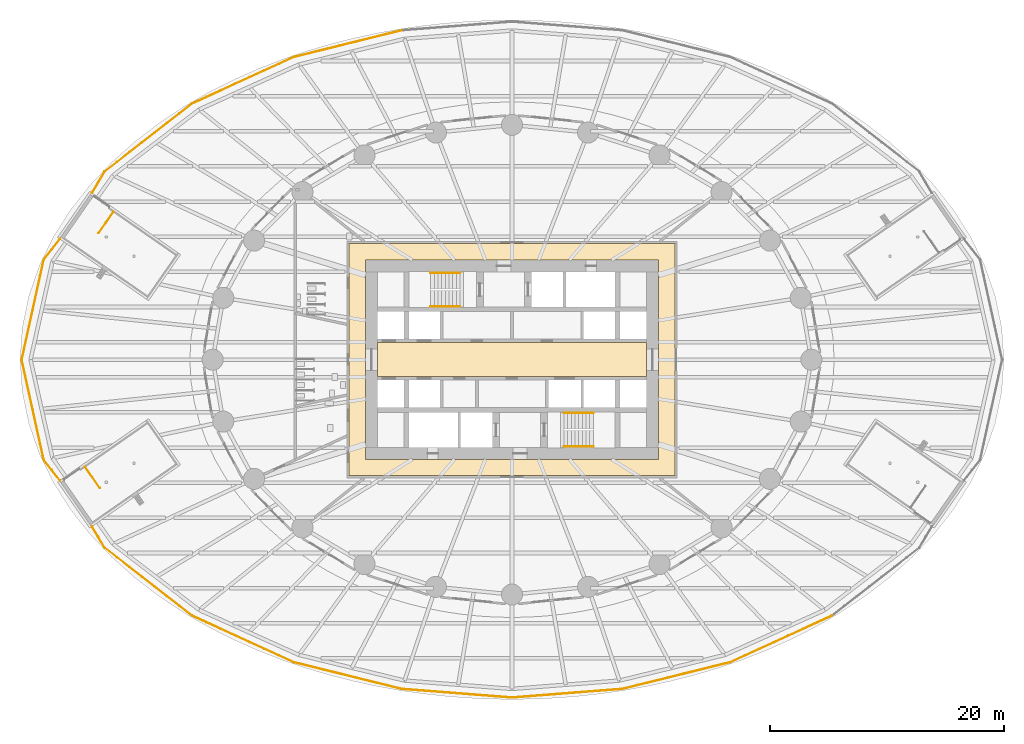
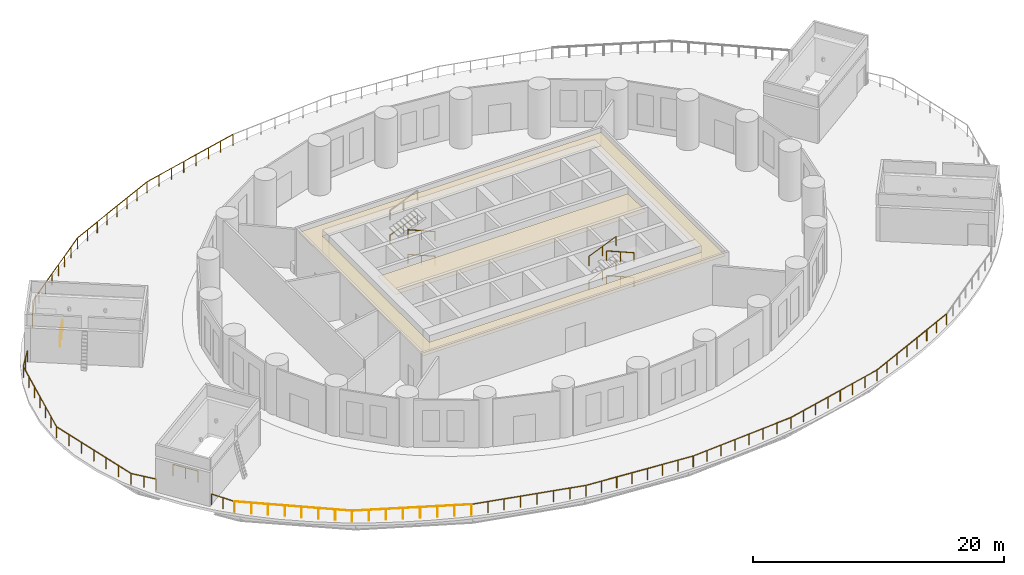
# One storey, part 14 of 17: 25 railings, 2 coverings.
"""IFC4 building model written with IfcOpenShell, lengths in metres."""

from ifc_helpers import new_model, si_unit, direction, frame, origin, origin_2d, place, context, subcontext, project, spatial, polyline, circle, outline, extrude, material, layer, layer_set, type_object, element, save


model = new_model("IFC4")

# Units and contexts
model_context = context("Model", 3, precision=1e-05, world=origin(), true_north=direction((0.0, 1.0)))
body_context = subcontext(model_context, "Body", "Model", "MODEL_VIEW")
ifc_project = project(units=[si_unit("LENGTHUNIT", "METRE"), si_unit("AREAUNIT", "SQUARE_METRE"), si_unit("VOLUMEUNIT", "CUBIC_METRE"), si_unit("PLANEANGLEUNIT", "RADIAN"), si_unit("MASSUNIT", "GRAM", prefix="KILO")], contexts=[model_context])

# Site, building, storey
site_placement = place(None, origin())
site = spatial("IfcSite", under=ifc_project, at=site_placement, CompositionType="ELEMENT")
building_placement = place(site_placement, origin())
building = spatial("IfcBuilding", under=site, at=building_placement, Name="Hankou Lantern Tower", CompositionType="ELEMENT")
storey_placement = place(building_placement, frame((0.0, 0.0, 24.60009765625)))
storey = spatial("IfcBuildingStorey", under=building, at=storey_placement, Name="L04", CompositionType="ELEMENT", Elevation=24.60009765625)

# Coverings
ifc_material_1 = material(Name="Black painted aluminium linear ceiling panels", Category="aluminium")
ifc_layer_1 = layer(ifc_material_1, 0.02490234375)
ifc_layer_set_1 = layer_set([ifc_layer_1], Name="Black painted aluminium linear ceiling panels")
covering_type_1 = type_object("IfcCoveringType", Name="CL1 CORRIDOR CEILING 25", PredefinedType="CEILING", material=ifc_layer_set_1)
covering_1_placement = place(storey_placement, frame((0.0, 0.0, 4.14501953125)))
element("IfcCovering", 1, at=covering_1_placement, inside=storey, type_object=covering_type_1, Name="Corridor ceiling L04", PredefinedType="CEILING", context=body_context, shape_type="SweptSolid", body=[
    extrude(outline(polyline([(-13.89990234375, -9.89990234375), (13.89990234375, -9.89990234375), (13.89990234375, 9.89990234375), (-13.89990234375, 9.89990234375), (-13.89990234375, -9.89990234375)]), holes=[polyline([(-12.5, 8.5), (12.5, 8.5), (12.5, -8.5), (-12.5, -8.5), (-12.5, 8.5)])]), origin(), (0.0, 0.0, 1.0), 0.02490234375),
])
ifc_material_2 = material(Name="Perforated black aluminium acoustic tray ceiling", Category="aluminium")
ifc_layer_2 = layer(ifc_material_2, 0.014892578125)
ifc_layer_set_2 = layer_set([ifc_layer_2], Name="Perforated black aluminium acoustic tray ceiling")
covering_type_2 = type_object("IfcCoveringType", Name="CL2 LIFT LOBBY CEILING 15", PredefinedType="CEILING", material=ifc_layer_set_2)
covering_2_placement = place(storey_placement, frame((0.0, 0.0, 4.15478515625)))
element("IfcCovering", 2, at=covering_2_placement, inside=storey, type_object=covering_type_2, Name="Lift lobby ceiling L04", PredefinedType="CEILING", context=body_context, shape_type="SweptSolid", body=[
    extrude(outline(polyline([(-11.5, -1.449951171875), (11.5, -1.449951171875), (11.5, 1.449951171875), (-11.5, 1.449951171875), (-11.5, -1.449951171875)])), origin(), (0.0, 0.0, 1.0), 0.01513671875),
])

# Railings
ifc_material_3 = material(Name="Stainless steel and laminated glass guard", Category="steel")
railing_type_1 = type_object("IfcRailingType", Name="GR1 GUARD 1100", PredefinedType="GUARDRAIL", material=ifc_material_3)
railing_1_placement = place(storey_placement, frame((-34.03369140625, 12.605712890625, 0.0)))
element("IfcRailing", 3, at=railing_1_placement, inside=storey, type_object=railing_type_1, Name="Stair P2 well guard L04", PredefinedType="GUARDRAIL", context=body_context, shape_type="SweptSolid", body=[
    extrude(circle(Radius=0.02392578125, at=origin_2d()), frame((0.0, 0.0, 1.076171875), z_axis=(-0.571031975366, -0.820927818453, 0.0), x_axis=(0.820927818453, -0.571031975366, 0.0)), (0.0, 0.0, 1.0), 2.2001953125),
    extrude(circle(Radius=0.02099609375, at=origin_2d()), origin(), (0.0, 0.0, 1.0), 1.052001953125),
    extrude(circle(Radius=0.02099609375, at=origin_2d()), frame((-0.628173828125, -0.903076171875, 0.0)), (0.0, 0.0, 1.0), 1.052001953125),
    extrude(circle(Radius=0.02099609375, at=origin_2d()), frame((-1.25634765625, -1.80615234375, 0.0)), (0.0, 0.0, 1.0), 1.052001953125),
])
railing_2_placement = place(storey_placement, frame((-36.43212890625, -9.15771484375, 0.0)))
element("IfcRailing", 4, at=railing_2_placement, inside=storey, type_object=railing_type_1, Name="Stair P3 well guard L04", PredefinedType="GUARDRAIL", context=body_context, shape_type="SweptSolid", body=[
    extrude(circle(Radius=0.02392578125, at=origin_2d()), frame((0.0, 0.0, 1.076171875), z_axis=(0.571031975366, -0.820927818453, 0.0), x_axis=(0.820927818453, 0.571031975366, 0.0)), (0.0, 0.0, 1.0), 2.2001953125),
    extrude(circle(Radius=0.02099609375, at=origin_2d()), origin(), (0.0, 0.0, 1.0), 1.052001953125),
    extrude(circle(Radius=0.02099609375, at=origin_2d()), frame((0.628173828125, -0.903076171875, 0.0)), (0.0, 0.0, 1.0), 1.052001953125),
    extrude(circle(Radius=0.02099609375, at=origin_2d()), frame((1.25634765625, -1.80615234375, 0.0)), (0.0, 0.0, 1.0), 1.052001953125),
])
ifc_material_4 = material(Name="Granite balusters and coping on a stainless steel core", Category="masonry")
railing_type_2 = type_object("IfcRailingType", Name="GR2 PODIUM TERRACE STONE BALUSTRADE 1100", PredefinedType="BALUSTRADE", material=ifc_material_4)
railing_3_placement = place(storey_placement, frame((-9.415283203125, 28.1103515625, 0.0)))
element("IfcRailing", 5, at=railing_3_placement, inside=storey, type_object=railing_type_2, Name="Podium terrace guard R08", PredefinedType="BALUSTRADE", context=body_context, shape_type="SweptSolid", body=[
    extrude(circle(Radius=0.02392578125, at=origin_2d()), frame((0.0, 0.0, 1.076171875), z_axis=(-0.97078133687, -0.239965822533, 0.0), x_axis=(0.239965822533, -0.97078133687, 0.0)), (0.0, 0.0, 1.0), 9.50341796875),
    extrude(circle(Radius=0.02099609375, at=origin_2d()), origin(), (0.0, 0.0, 1.0), 1.052001953125),
    extrude(circle(Radius=0.02099609375, at=origin_2d()), frame((-1.31787109375, -0.32568359375, 0.0)), (0.0, 0.0, 1.0), 1.052001953125),
    extrude(circle(Radius=0.02099609375, at=origin_2d()), frame((-2.635986328125, -0.651611328125, 0.0)), (0.0, 0.0, 1.0), 1.052001953125),
    extrude(circle(Radius=0.02099609375, at=origin_2d()), frame((-3.953857421875, -0.977294921875, 0.0)), (0.0, 0.0, 1.0), 1.052001953125),
    extrude(circle(Radius=0.02099609375, at=origin_2d()), frame((-5.27197265625, -1.30322265625, 0.0)), (0.0, 0.0, 1.0), 1.052001953125),
    extrude(circle(Radius=0.02099609375, at=origin_2d()), frame((-6.58984375, -1.62890625, 0.0)), (0.0, 0.0, 1.0), 1.052001953125),
    extrude(circle(Radius=0.02099609375, at=origin_2d()), frame((-7.907958984375, -1.954833984375, 0.0)), (0.0, 0.0, 1.0), 1.052001953125),
    extrude(circle(Radius=0.02099609375, at=origin_2d()), frame((-9.225830078125, -2.280517578125, 0.0)), (0.0, 0.0, 1.0), 1.052001953125),
])
railing_4_placement = place(storey_placement, frame((-18.64111328125, 25.829833984375, 0.0)))
element("IfcRailing", 6, at=railing_4_placement, inside=storey, type_object=railing_type_2, Name="Podium terrace guard R09", PredefinedType="BALUSTRADE", context=body_context, shape_type="SweptSolid", body=[
    extrude(circle(Radius=0.02392578125, at=origin_2d()), frame((0.0, 0.0, 1.076171875), z_axis=(-0.909171365198, -0.416422176047, 0.0), x_axis=(0.416422176047, -0.909171365198, 0.0)), (0.0, 0.0, 1.0), 9.544677734375),
    extrude(circle(Radius=0.02099609375, at=origin_2d()), origin(), (0.0, 0.0, 1.0), 1.052001953125),
    extrude(circle(Radius=0.02099609375, at=origin_2d()), frame((-1.23974609375, -0.56787109375, 0.0)), (0.0, 0.0, 1.0), 1.052001953125),
    extrude(circle(Radius=0.02099609375, at=origin_2d()), frame((-2.479248046875, -1.135498046875, 0.0)), (0.0, 0.0, 1.0), 1.052001953125),
    extrude(circle(Radius=0.02099609375, at=origin_2d()), frame((-3.718994140625, -1.703369140625, 0.0)), (0.0, 0.0, 1.0), 1.052001953125),
    extrude(circle(Radius=0.02099609375, at=origin_2d()), frame((-4.958740234375, -2.271240234375, 0.0)), (0.0, 0.0, 1.0), 1.052001953125),
    extrude(circle(Radius=0.02099609375, at=origin_2d()), frame((-6.198486328125, -2.839111328125, 0.0)), (0.0, 0.0, 1.0), 1.052001953125),
    extrude(circle(Radius=0.02099609375, at=origin_2d()), frame((-7.43798828125, -3.40673828125, 0.0)), (0.0, 0.0, 1.0), 1.052001953125),
    extrude(circle(Radius=0.02099609375, at=origin_2d()), frame((-8.677734375, -3.974609375, 0.0)), (0.0, 0.0, 1.0), 1.052001953125),
])
railing_5_placement = place(storey_placement, frame((-27.31884765625, 21.855224609375, 0.0)))
element("IfcRailing", 7, at=railing_5_placement, inside=storey, type_object=railing_type_2, Name="Podium terrace guard R10", PredefinedType="BALUSTRADE", context=body_context, shape_type="SweptSolid", body=[
    extrude(circle(Radius=0.02392578125, at=origin_2d()), frame((0.0, 0.0, 1.076171875), z_axis=(-0.789189230142, -0.614150111152, 0.0), x_axis=(0.614150111152, -0.789189230142, 0.0)), (0.0, 0.0, 1.0), 9.4384765625),
    extrude(circle(Radius=0.02099609375, at=origin_2d()), origin(), (0.0, 0.0, 1.0), 1.052001953125),
    extrude(circle(Radius=0.02099609375, at=origin_2d()), frame((-1.064208984375, -0.828125, 0.0)), (0.0, 0.0, 1.0), 1.052001953125),
    extrude(circle(Radius=0.02099609375, at=origin_2d()), frame((-2.128173828125, -1.65625, 0.0)), (0.0, 0.0, 1.0), 1.052001953125),
    extrude(circle(Radius=0.02099609375, at=origin_2d()), frame((-3.1923828125, -2.484375, 0.0)), (0.0, 0.0, 1.0), 1.052001953125),
    extrude(circle(Radius=0.02099609375, at=origin_2d()), frame((-4.25634765625, -3.312255859375, 0.0)), (0.0, 0.0, 1.0), 1.052001953125),
    extrude(circle(Radius=0.02099609375, at=origin_2d()), frame((-5.320556640625, -4.140380859375, 0.0)), (0.0, 0.0, 1.0), 1.052001953125),
    extrude(circle(Radius=0.02099609375, at=origin_2d()), frame((-6.384521484375, -4.968505859375, 0.0)), (0.0, 0.0, 1.0), 1.052001953125),
    extrude(circle(Radius=0.02099609375, at=origin_2d()), frame((-7.44873046875, -5.796630859375, 0.0)), (0.0, 0.0, 1.0), 1.052001953125),
])
railing_6_placement = place(storey_placement, frame((-34.767578125, 16.05859375, 0.0)))
element("IfcRailing", 8, at=railing_6_placement, inside=storey, type_object=railing_type_2, Name="Podium terrace guard R11", PredefinedType="BALUSTRADE", context=body_context, shape_type="SweptSolid", body=[
    extrude(circle(Radius=0.02392578125, at=origin_2d()), frame((0.0, 0.0, 1.076171875), z_axis=(-0.509884417263, -0.86024291978, 0.0), x_axis=(0.86024291978, -0.509884417263, 0.0)), (0.0, 0.0, 1.0), 2.12109375),
    extrude(circle(Radius=0.02099609375, at=origin_2d()), origin(), (0.0, 0.0, 1.0), 1.052001953125),
    extrude(circle(Radius=0.02099609375, at=origin_2d()), frame((-0.540771484375, -0.912353515625, 0.0)), (0.0, 0.0, 1.0), 1.052001953125),
    extrude(circle(Radius=0.02099609375, at=origin_2d()), frame((-1.08154296875, -1.82470703125, 0.0)), (0.0, 0.0, 1.0), 1.052001953125),
])
railing_7_placement = place(storey_placement, frame((-38.590087890625, 10.29345703125, 0.0)))
element("IfcRailing", 9, at=railing_7_placement, inside=storey, type_object=railing_type_2, Name="Podium terrace guard R11", PredefinedType="BALUSTRADE", context=body_context, shape_type="SweptSolid", body=[
    extrude(circle(Radius=0.02392578125, at=origin_2d()), frame((0.0, 0.0, 1.076171875), z_axis=(-0.622181521097, -0.782873013205, 0.0), x_axis=(0.782873013205, -0.622181521097, 0.0)), (0.0, 0.0, 1.0), 2.2060546875),
    extrude(circle(Radius=0.02099609375, at=origin_2d()), origin(), (0.0, 0.0, 1.0), 1.052001953125),
    extrude(circle(Radius=0.02099609375, at=origin_2d()), frame((-0.686279296875, -0.863525390625, 0.0)), (0.0, 0.0, 1.0), 1.052001953125),
    extrude(circle(Radius=0.02099609375, at=origin_2d()), frame((-1.37255859375, -1.72705078125, 0.0)), (0.0, 0.0, 1.0), 1.052001953125),
])
railing_8_placement = place(storey_placement, frame((-39.962646484375, 8.56640625, 0.0)))
element("IfcRailing", 10, at=railing_8_placement, inside=storey, type_object=railing_type_2, Name="Podium terrace guard R12", PredefinedType="BALUSTRADE", context=body_context, shape_type="SweptSolid", body=[
    extrude(circle(Radius=0.02392578125, at=origin_2d()), frame((0.0, 0.0, 1.076171875), z_axis=(-0.215170782675, -0.976576435454, 0.0), x_axis=(0.976576435454, -0.215170782675, 0.0)), (0.0, 0.0, 1.0), 8.77197265625),
    extrude(circle(Radius=0.02099609375, at=origin_2d()), origin(), (0.0, 0.0, 1.0), 1.052001953125),
    extrude(circle(Radius=0.02099609375, at=origin_2d()), frame((-0.314453125, -1.427734375, 0.0)), (0.0, 0.0, 1.0), 1.052001953125),
    extrude(circle(Radius=0.02099609375, at=origin_2d()), frame((-0.629150390625, -2.85546875, 0.0)), (0.0, 0.0, 1.0), 1.052001953125),
    extrude(circle(Radius=0.02099609375, at=origin_2d()), frame((-0.94384765625, -4.283203125, 0.0)), (0.0, 0.0, 1.0), 1.052001953125),
    extrude(circle(Radius=0.02099609375, at=origin_2d()), frame((-1.25830078125, -5.7109375, 0.0)), (0.0, 0.0, 1.0), 1.052001953125),
    extrude(circle(Radius=0.02099609375, at=origin_2d()), frame((-1.57275390625, -7.138671875, 0.0)), (0.0, 0.0, 1.0), 1.052001953125),
    extrude(circle(Radius=0.02099609375, at=origin_2d()), frame((-1.887451171875, -8.56640625, 0.0)), (0.0, 0.0, 1.0), 1.052001953125),
])
railing_9_placement = place(storey_placement, frame((-41.85009765625, 0.0, 0.0)))
element("IfcRailing", 11, at=railing_9_placement, inside=storey, type_object=railing_type_2, Name="Podium terrace guard R13", PredefinedType="BALUSTRADE", context=body_context, shape_type="SweptSolid", body=[
    extrude(circle(Radius=0.02392578125, at=origin_2d()), frame((0.0, 0.0, 1.076171875), z_axis=(0.215170782675, -0.976576435454, 0.0), x_axis=(0.976576435454, 0.215170782675, 0.0)), (0.0, 0.0, 1.0), 8.77197265625),
    extrude(circle(Radius=0.02099609375, at=origin_2d()), origin(), (0.0, 0.0, 1.0), 1.052001953125),
    extrude(circle(Radius=0.02099609375, at=origin_2d()), frame((0.314453125, -1.427734375, 0.0)), (0.0, 0.0, 1.0), 1.052001953125),
    extrude(circle(Radius=0.02099609375, at=origin_2d()), frame((0.629150390625, -2.85546875, 0.0)), (0.0, 0.0, 1.0), 1.052001953125),
    extrude(circle(Radius=0.02099609375, at=origin_2d()), frame((0.94384765625, -4.283203125, 0.0)), (0.0, 0.0, 1.0), 1.052001953125),
    extrude(circle(Radius=0.02099609375, at=origin_2d()), frame((1.25830078125, -5.7109375, 0.0)), (0.0, 0.0, 1.0), 1.052001953125),
    extrude(circle(Radius=0.02099609375, at=origin_2d()), frame((1.57275390625, -7.138671875, 0.0)), (0.0, 0.0, 1.0), 1.052001953125),
    extrude(circle(Radius=0.02099609375, at=origin_2d()), frame((1.887451171875, -8.56640625, 0.0)), (0.0, 0.0, 1.0), 1.052001953125),
])
railing_10_placement = place(storey_placement, frame((-39.962646484375, -8.56640625, 0.0)))
element("IfcRailing", 12, at=railing_10_placement, inside=storey, type_object=railing_type_2, Name="Podium terrace guard R14", PredefinedType="BALUSTRADE", context=body_context, shape_type="SweptSolid", body=[
    extrude(circle(Radius=0.02392578125, at=origin_2d()), frame((0.0, 0.0, 1.076171875), z_axis=(0.622181521097, -0.782873013205, 0.0), x_axis=(0.782873013205, 0.622181521097, 0.0)), (0.0, 0.0, 1.0), 2.2060546875),
    extrude(circle(Radius=0.02099609375, at=origin_2d()), origin(), (0.0, 0.0, 1.0), 1.052001953125),
    extrude(circle(Radius=0.02099609375, at=origin_2d()), frame((0.686279296875, -0.863525390625, 0.0)), (0.0, 0.0, 1.0), 1.052001953125),
    extrude(circle(Radius=0.02099609375, at=origin_2d()), frame((1.37255859375, -1.72705078125, 0.0)), (0.0, 0.0, 1.0), 1.052001953125),
])
railing_11_placement = place(storey_placement, frame((-35.84912109375, -14.23388671875, 0.0)))
element("IfcRailing", 13, at=railing_11_placement, inside=storey, type_object=railing_type_2, Name="Podium terrace guard R14", PredefinedType="BALUSTRADE", context=body_context, shape_type="SweptSolid", body=[
    extrude(circle(Radius=0.02392578125, at=origin_2d()), frame((0.0, 0.0, 1.076171875), z_axis=(0.509884417263, -0.86024291978, 0.0), x_axis=(0.86024291978, 0.509884417263, 0.0)), (0.0, 0.0, 1.0), 2.12109375),
    extrude(circle(Radius=0.02099609375, at=origin_2d()), origin(), (0.0, 0.0, 1.0), 1.052001953125),
    extrude(circle(Radius=0.02099609375, at=origin_2d()), frame((0.540771484375, -0.912353515625, 0.0)), (0.0, 0.0, 1.0), 1.052001953125),
    extrude(circle(Radius=0.02099609375, at=origin_2d()), frame((1.08154296875, -1.82470703125, 0.0)), (0.0, 0.0, 1.0), 1.052001953125),
])
railing_12_placement = place(storey_placement, frame((-34.767578125, -16.05859375, 0.0)))
element("IfcRailing", 14, at=railing_12_placement, inside=storey, type_object=railing_type_2, Name="Podium terrace guard R15", PredefinedType="BALUSTRADE", context=body_context, shape_type="SweptSolid", body=[
    extrude(circle(Radius=0.02392578125, at=origin_2d()), frame((0.0, 0.0, 1.076171875), z_axis=(0.789189230142, -0.614150111152, 0.0), x_axis=(0.614150111152, 0.789189230142, 0.0)), (0.0, 0.0, 1.0), 9.4384765625),
    extrude(circle(Radius=0.02099609375, at=origin_2d()), origin(), (0.0, 0.0, 1.0), 1.052001953125),
    extrude(circle(Radius=0.02099609375, at=origin_2d()), frame((1.064208984375, -0.828125, 0.0)), (0.0, 0.0, 1.0), 1.052001953125),
    extrude(circle(Radius=0.02099609375, at=origin_2d()), frame((2.128173828125, -1.65625, 0.0)), (0.0, 0.0, 1.0), 1.052001953125),
    extrude(circle(Radius=0.02099609375, at=origin_2d()), frame((3.1923828125, -2.484375, 0.0)), (0.0, 0.0, 1.0), 1.052001953125),
    extrude(circle(Radius=0.02099609375, at=origin_2d()), frame((4.25634765625, -3.312255859375, 0.0)), (0.0, 0.0, 1.0), 1.052001953125),
    extrude(circle(Radius=0.02099609375, at=origin_2d()), frame((5.320556640625, -4.140380859375, 0.0)), (0.0, 0.0, 1.0), 1.052001953125),
    extrude(circle(Radius=0.02099609375, at=origin_2d()), frame((6.384521484375, -4.968505859375, 0.0)), (0.0, 0.0, 1.0), 1.052001953125),
    extrude(circle(Radius=0.02099609375, at=origin_2d()), frame((7.44873046875, -5.796630859375, 0.0)), (0.0, 0.0, 1.0), 1.052001953125),
])
railing_13_placement = place(storey_placement, frame((-27.31884765625, -21.855224609375, 0.0)))
element("IfcRailing", 15, at=railing_13_placement, inside=storey, type_object=railing_type_2, Name="Podium terrace guard R16", PredefinedType="BALUSTRADE", context=body_context, shape_type="SweptSolid", body=[
    extrude(circle(Radius=0.02392578125, at=origin_2d()), frame((0.0, 0.0, 1.076171875), z_axis=(0.909171365198, -0.416422176047, 0.0), x_axis=(0.416422176047, 0.909171365198, 0.0)), (0.0, 0.0, 1.0), 9.544677734375),
    extrude(circle(Radius=0.02099609375, at=origin_2d()), origin(), (0.0, 0.0, 1.0), 1.052001953125),
    extrude(circle(Radius=0.02099609375, at=origin_2d()), frame((1.23974609375, -0.56787109375, 0.0)), (0.0, 0.0, 1.0), 1.052001953125),
    extrude(circle(Radius=0.02099609375, at=origin_2d()), frame((2.479248046875, -1.135498046875, 0.0)), (0.0, 0.0, 1.0), 1.052001953125),
    extrude(circle(Radius=0.02099609375, at=origin_2d()), frame((3.718994140625, -1.703369140625, 0.0)), (0.0, 0.0, 1.0), 1.052001953125),
    extrude(circle(Radius=0.02099609375, at=origin_2d()), frame((4.958740234375, -2.271240234375, 0.0)), (0.0, 0.0, 1.0), 1.052001953125),
    extrude(circle(Radius=0.02099609375, at=origin_2d()), frame((6.198486328125, -2.839111328125, 0.0)), (0.0, 0.0, 1.0), 1.052001953125),
    extrude(circle(Radius=0.02099609375, at=origin_2d()), frame((7.43798828125, -3.40673828125, 0.0)), (0.0, 0.0, 1.0), 1.052001953125),
    extrude(circle(Radius=0.02099609375, at=origin_2d()), frame((8.677734375, -3.974609375, 0.0)), (0.0, 0.0, 1.0), 1.052001953125),
])
railing_14_placement = place(storey_placement, frame((-18.64111328125, -25.829833984375, 0.0)))
element("IfcRailing", 16, at=railing_14_placement, inside=storey, type_object=railing_type_2, Name="Podium terrace guard R17", PredefinedType="BALUSTRADE", context=body_context, shape_type="SweptSolid", body=[
    extrude(circle(Radius=0.02392578125, at=origin_2d()), frame((0.0, 0.0, 1.076171875), z_axis=(0.97078133687, -0.239965822533, 0.0), x_axis=(0.239965822533, 0.97078133687, 0.0)), (0.0, 0.0, 1.0), 9.50341796875),
    extrude(circle(Radius=0.02099609375, at=origin_2d()), origin(), (0.0, 0.0, 1.0), 1.052001953125),
    extrude(circle(Radius=0.02099609375, at=origin_2d()), frame((1.31787109375, -0.32568359375, 0.0)), (0.0, 0.0, 1.0), 1.052001953125),
    extrude(circle(Radius=0.02099609375, at=origin_2d()), frame((2.635986328125, -0.651611328125, 0.0)), (0.0, 0.0, 1.0), 1.052001953125),
    extrude(circle(Radius=0.02099609375, at=origin_2d()), frame((3.953857421875, -0.977294921875, 0.0)), (0.0, 0.0, 1.0), 1.052001953125),
    extrude(circle(Radius=0.02099609375, at=origin_2d()), frame((5.27197265625, -1.30322265625, 0.0)), (0.0, 0.0, 1.0), 1.052001953125),
    extrude(circle(Radius=0.02099609375, at=origin_2d()), frame((6.58984375, -1.62890625, 0.0)), (0.0, 0.0, 1.0), 1.052001953125),
    extrude(circle(Radius=0.02099609375, at=origin_2d()), frame((7.907958984375, -1.954833984375, 0.0)), (0.0, 0.0, 1.0), 1.052001953125),
    extrude(circle(Radius=0.02099609375, at=origin_2d()), frame((9.225830078125, -2.280517578125, 0.0)), (0.0, 0.0, 1.0), 1.052001953125),
])
railing_15_placement = place(storey_placement, frame((-9.415283203125, -28.1103515625, 0.0)))
element("IfcRailing", 17, at=railing_15_placement, inside=storey, type_object=railing_type_2, Name="Podium terrace guard R18", PredefinedType="BALUSTRADE", context=body_context, shape_type="SweptSolid", body=[
    extrude(circle(Radius=0.02392578125, at=origin_2d()), frame((0.0, 0.0, 1.076171875), z_axis=(0.996927700353, -0.078327263894, 0.0), x_axis=(0.078327263894, 0.996927700353, 0.0)), (0.0, 0.0, 1.0), 9.4443359375),
    extrude(circle(Radius=0.02099609375, at=origin_2d()), origin(), (0.0, 0.0, 1.0), 1.052001953125),
    extrude(circle(Radius=0.02099609375, at=origin_2d()), frame((1.344970703125, -0.105712890625, 0.0)), (0.0, 0.0, 1.0), 1.052001953125),
    extrude(circle(Radius=0.02099609375, at=origin_2d()), frame((2.690185546875, -0.21142578125, 0.0)), (0.0, 0.0, 1.0), 1.052001953125),
    extrude(circle(Radius=0.02099609375, at=origin_2d()), frame((4.03515625, -0.317138671875, 0.0)), (0.0, 0.0, 1.0), 1.052001953125),
    extrude(circle(Radius=0.02099609375, at=origin_2d()), frame((5.380126953125, -0.422607421875, 0.0)), (0.0, 0.0, 1.0), 1.052001953125),
    extrude(circle(Radius=0.02099609375, at=origin_2d()), frame((6.72509765625, -0.5283203125, 0.0)), (0.0, 0.0, 1.0), 1.052001953125),
    extrude(circle(Radius=0.02099609375, at=origin_2d()), frame((8.0703125, -0.634033203125, 0.0)), (0.0, 0.0, 1.0), 1.052001953125),
    extrude(circle(Radius=0.02099609375, at=origin_2d()), frame((9.415283203125, -0.73974609375, 0.0)), (0.0, 0.0, 1.0), 1.052001953125),
])
railing_16_placement = place(storey_placement, frame((0.0, -28.85009765625, 0.0)))
element("IfcRailing", 18, at=railing_16_placement, inside=storey, type_object=railing_type_2, Name="Podium terrace guard R19", PredefinedType="BALUSTRADE", context=body_context, shape_type="SweptSolid", body=[
    extrude(circle(Radius=0.02392578125, at=origin_2d()), frame((0.0, 0.0, 1.076171875), z_axis=(0.996927700353, 0.078327263894, 0.0), x_axis=(-0.078327263894, 0.996927700353, 0.0)), (0.0, 0.0, 1.0), 9.4443359375),
    extrude(circle(Radius=0.02099609375, at=origin_2d()), origin(), (0.0, 0.0, 1.0), 1.052001953125),
    extrude(circle(Radius=0.02099609375, at=origin_2d()), frame((1.344970703125, 0.105712890625, 0.0)), (0.0, 0.0, 1.0), 1.052001953125),
    extrude(circle(Radius=0.02099609375, at=origin_2d()), frame((2.690185546875, 0.21142578125, 0.0)), (0.0, 0.0, 1.0), 1.052001953125),
    extrude(circle(Radius=0.02099609375, at=origin_2d()), frame((4.03515625, 0.317138671875, 0.0)), (0.0, 0.0, 1.0), 1.052001953125),
    extrude(circle(Radius=0.02099609375, at=origin_2d()), frame((5.380126953125, 0.422607421875, 0.0)), (0.0, 0.0, 1.0), 1.052001953125),
    extrude(circle(Radius=0.02099609375, at=origin_2d()), frame((6.72509765625, 0.5283203125, 0.0)), (0.0, 0.0, 1.0), 1.052001953125),
    extrude(circle(Radius=0.02099609375, at=origin_2d()), frame((8.0703125, 0.634033203125, 0.0)), (0.0, 0.0, 1.0), 1.052001953125),
    extrude(circle(Radius=0.02099609375, at=origin_2d()), frame((9.415283203125, 0.73974609375, 0.0)), (0.0, 0.0, 1.0), 1.052001953125),
])
railing_17_placement = place(storey_placement, frame((9.415283203125, -28.1103515625, 0.0)))
element("IfcRailing", 19, at=railing_17_placement, inside=storey, type_object=railing_type_2, Name="Podium terrace guard R20", PredefinedType="BALUSTRADE", context=body_context, shape_type="SweptSolid", body=[
    extrude(circle(Radius=0.02392578125, at=origin_2d()), frame((0.0, 0.0, 1.076171875), z_axis=(0.97078133687, 0.239965822533, 0.0), x_axis=(-0.239965822533, 0.97078133687, 0.0)), (0.0, 0.0, 1.0), 9.50341796875),
    extrude(circle(Radius=0.02099609375, at=origin_2d()), origin(), (0.0, 0.0, 1.0), 1.052001953125),
    extrude(circle(Radius=0.02099609375, at=origin_2d()), frame((1.31787109375, 0.32568359375, 0.0)), (0.0, 0.0, 1.0), 1.052001953125),
    extrude(circle(Radius=0.02099609375, at=origin_2d()), frame((2.635986328125, 0.651611328125, 0.0)), (0.0, 0.0, 1.0), 1.052001953125),
    extrude(circle(Radius=0.02099609375, at=origin_2d()), frame((3.953857421875, 0.977294921875, 0.0)), (0.0, 0.0, 1.0), 1.052001953125),
    extrude(circle(Radius=0.02099609375, at=origin_2d()), frame((5.27197265625, 1.30322265625, 0.0)), (0.0, 0.0, 1.0), 1.052001953125),
    extrude(circle(Radius=0.02099609375, at=origin_2d()), frame((6.58984375, 1.62890625, 0.0)), (0.0, 0.0, 1.0), 1.052001953125),
    extrude(circle(Radius=0.02099609375, at=origin_2d()), frame((7.907958984375, 1.954833984375, 0.0)), (0.0, 0.0, 1.0), 1.052001953125),
    extrude(circle(Radius=0.02099609375, at=origin_2d()), frame((9.225830078125, 2.280517578125, 0.0)), (0.0, 0.0, 1.0), 1.052001953125),
])
railing_18_placement = place(storey_placement, frame((18.64111328125, -25.829833984375, 0.0)))
element("IfcRailing", 20, at=railing_18_placement, inside=storey, type_object=railing_type_2, Name="Podium terrace guard R21", PredefinedType="BALUSTRADE", context=body_context, shape_type="SweptSolid", body=[
    extrude(circle(Radius=0.02392578125, at=origin_2d()), frame((0.0, 0.0, 1.076171875), z_axis=(0.909171365198, 0.416422176047, 0.0), x_axis=(-0.416422176047, 0.909171365198, 0.0)), (0.0, 0.0, 1.0), 9.544677734375),
    extrude(circle(Radius=0.02099609375, at=origin_2d()), origin(), (0.0, 0.0, 1.0), 1.052001953125),
    extrude(circle(Radius=0.02099609375, at=origin_2d()), frame((1.23974609375, 0.56787109375, 0.0)), (0.0, 0.0, 1.0), 1.052001953125),
    extrude(circle(Radius=0.02099609375, at=origin_2d()), frame((2.479248046875, 1.135498046875, 0.0)), (0.0, 0.0, 1.0), 1.052001953125),
    extrude(circle(Radius=0.02099609375, at=origin_2d()), frame((3.718994140625, 1.703369140625, 0.0)), (0.0, 0.0, 1.0), 1.052001953125),
    extrude(circle(Radius=0.02099609375, at=origin_2d()), frame((4.958740234375, 2.271240234375, 0.0)), (0.0, 0.0, 1.0), 1.052001953125),
    extrude(circle(Radius=0.02099609375, at=origin_2d()), frame((6.198486328125, 2.839111328125, 0.0)), (0.0, 0.0, 1.0), 1.052001953125),
    extrude(circle(Radius=0.02099609375, at=origin_2d()), frame((7.43798828125, 3.40673828125, 0.0)), (0.0, 0.0, 1.0), 1.052001953125),
    extrude(circle(Radius=0.02099609375, at=origin_2d()), frame((8.677734375, 3.974609375, 0.0)), (0.0, 0.0, 1.0), 1.052001953125),
])
ifc_material_5 = material(Name="Steel handrail", Category="steel")
railing_type_3 = type_object("IfcRailingType", Name="HR1 STAIR HANDRAIL", PredefinedType="HANDRAIL", material=ifc_material_5)
railing_19_placement = place(storey_placement, frame((-4.429931640625, 4.550048828125, 0.89990234375)))
element("IfcRailing", 21, at=railing_19_placement, inside=storey, type_object=railing_type_3, Name="Handrail stair STA L04 flight 1", PredefinedType="HANDRAIL", context=body_context, shape_type="SweptSolid", body=[
    extrude(circle(Radius=0.02392578125, at=origin_2d()), frame((0.0, 0.0, 0.8759765625), z_axis=(-0.920903207994, 0.0, 0.389791330723), x_axis=(0.0, -1.0, 0.0)), (0.0, 0.0, 1.0), 2.736572265625),
    extrude(circle(Radius=0.02099609375, at=origin_2d()), origin(), (0.0, 0.0, 1.0), 0.851806640625),
    extrude(circle(Radius=0.02099609375, at=origin_2d()), frame((-1.260009765625, 0.0, 0.533203125)), (0.0, 0.0, 1.0), 0.851806640625),
    extrude(circle(Radius=0.02099609375, at=origin_2d()), frame((-2.52001953125, 0.0, 1.066650390625)), (0.0, 0.0, 1.0), 0.851806640625),
])
railing_20_placement = place(storey_placement, frame((-6.949951171875, 7.39990234375, 2.099853515625)))
element("IfcRailing", 22, at=railing_20_placement, inside=storey, type_object=railing_type_3, Name="Handrail stair STA L04 flight 2", PredefinedType="HANDRAIL", context=body_context, shape_type="SweptSolid", body=[
    extrude(circle(Radius=0.02392578125, at=origin_2d()), frame((0.0, 0.0, 0.8759765625), z_axis=(0.920903207994, 0.0, 0.389791330723), x_axis=(0.0, 1.0, 0.0)), (0.0, 0.0, 1.0), 2.736572265625),
    extrude(circle(Radius=0.02099609375, at=origin_2d()), origin(), (0.0, 0.0, 1.0), 0.851806640625),
    extrude(circle(Radius=0.02099609375, at=origin_2d()), frame((1.260009765625, 0.0, 0.533203125)), (0.0, 0.0, 1.0), 0.851806640625),
    extrude(circle(Radius=0.02099609375, at=origin_2d()), frame((2.52001953125, 0.0, 1.066650390625)), (0.0, 0.0, 1.0), 0.851806640625),
])
railing_21_placement = place(storey_placement, frame((-4.429931640625, 4.550048828125, 3.2998046875)))
element("IfcRailing", 23, at=railing_21_placement, inside=storey, type_object=railing_type_3, Name="Handrail stair STA L04 flight 3", PredefinedType="HANDRAIL", context=body_context, shape_type="SweptSolid", body=[
    extrude(circle(Radius=0.02392578125, at=origin_2d()), frame((0.0, 0.0, 0.8759765625), z_axis=(-0.920903207994, 0.0, 0.389791330723), x_axis=(0.0, -1.0, 0.0)), (0.0, 0.0, 1.0), 2.736572265625),
    extrude(circle(Radius=0.02099609375, at=origin_2d()), origin(), (0.0, 0.0, 1.0), 0.851806640625),
    extrude(circle(Radius=0.02099609375, at=origin_2d()), frame((-1.260009765625, 0.0, 0.533203125)), (0.0, 0.0, 1.0), 0.851806640625),
    extrude(circle(Radius=0.02099609375, at=origin_2d()), frame((-2.52001953125, 0.0, 1.066650390625)), (0.0, 0.0, 1.0), 0.851806640625),
])
railing_22_placement = place(storey_placement, frame((4.429931640625, -4.550048828125, 0.89990234375)))
element("IfcRailing", 24, at=railing_22_placement, inside=storey, type_object=railing_type_3, Name="Handrail stair STB L04 flight 1", PredefinedType="HANDRAIL", context=body_context, shape_type="SweptSolid", body=[
    extrude(circle(Radius=0.02392578125, at=origin_2d()), frame((0.0, 0.0, 0.8759765625), z_axis=(0.920903207994, 0.0, 0.389791330723), x_axis=(0.0, 1.0, 0.0)), (0.0, 0.0, 1.0), 2.736572265625),
    extrude(circle(Radius=0.02099609375, at=origin_2d()), origin(), (0.0, 0.0, 1.0), 0.851806640625),
    extrude(circle(Radius=0.02099609375, at=origin_2d()), frame((1.260009765625, 0.0, 0.533203125)), (0.0, 0.0, 1.0), 0.851806640625),
    extrude(circle(Radius=0.02099609375, at=origin_2d()), frame((2.52001953125, 0.0, 1.066650390625)), (0.0, 0.0, 1.0), 0.851806640625),
])
railing_23_placement = place(storey_placement, frame((6.949951171875, -7.39990234375, 2.099853515625)))
element("IfcRailing", 25, at=railing_23_placement, inside=storey, type_object=railing_type_3, Name="Handrail stair STB L04 flight 2", PredefinedType="HANDRAIL", context=body_context, shape_type="SweptSolid", body=[
    extrude(circle(Radius=0.02392578125, at=origin_2d()), frame((0.0, 0.0, 0.8759765625), z_axis=(-0.920903207994, 0.0, 0.389791330723), x_axis=(0.0, -1.0, 0.0)), (0.0, 0.0, 1.0), 2.736572265625),
    extrude(circle(Radius=0.02099609375, at=origin_2d()), origin(), (0.0, 0.0, 1.0), 0.851806640625),
    extrude(circle(Radius=0.02099609375, at=origin_2d()), frame((-1.260009765625, 0.0, 0.533203125)), (0.0, 0.0, 1.0), 0.851806640625),
    extrude(circle(Radius=0.02099609375, at=origin_2d()), frame((-2.52001953125, 0.0, 1.066650390625)), (0.0, 0.0, 1.0), 0.851806640625),
])
railing_24_placement = place(storey_placement, frame((4.429931640625, -4.550048828125, 3.2998046875)))
element("IfcRailing", 26, at=railing_24_placement, inside=storey, type_object=railing_type_3, Name="Handrail stair STB L04 flight 3", PredefinedType="HANDRAIL", context=body_context, shape_type="SweptSolid", body=[
    extrude(circle(Radius=0.02392578125, at=origin_2d()), frame((0.0, 0.0, 0.8759765625), z_axis=(0.920903207994, 0.0, 0.389791330723), x_axis=(0.0, 1.0, 0.0)), (0.0, 0.0, 1.0), 2.736572265625),
    extrude(circle(Radius=0.02099609375, at=origin_2d()), origin(), (0.0, 0.0, 1.0), 0.851806640625),
    extrude(circle(Radius=0.02099609375, at=origin_2d()), frame((1.260009765625, 0.0, 0.533203125)), (0.0, 0.0, 1.0), 0.851806640625),
    extrude(circle(Radius=0.02099609375, at=origin_2d()), frame((2.52001953125, 0.0, 1.066650390625)), (0.0, 0.0, 1.0), 0.851806640625),
])
railing_25_placement = place(storey_placement, frame((6.949951171875, -7.39990234375, 4.5)))
element("IfcRailing", 27, at=railing_25_placement, inside=storey, type_object=railing_type_3, Name="Handrail stair STB L04 flight 4", PredefinedType="HANDRAIL", context=body_context, shape_type="SweptSolid", body=[
    extrude(circle(Radius=0.02392578125, at=origin_2d()), frame((0.0, 0.0, 0.8759765625), z_axis=(-0.920903207994, 0.0, 0.389791330723), x_axis=(0.0, -1.0, 0.0)), (0.0, 0.0, 1.0), 2.736572265625),
    extrude(circle(Radius=0.02099609375, at=origin_2d()), origin(), (0.0, 0.0, 1.0), 0.851806640625),
    extrude(circle(Radius=0.02099609375, at=origin_2d()), frame((-1.260009765625, 0.0, 0.533203125)), (0.0, 0.0, 1.0), 0.851806640625),
    extrude(circle(Radius=0.02099609375, at=origin_2d()), frame((-2.52001953125, 0.0, 1.066650390625)), (0.0, 0.0, 1.0), 0.851806640625),
])

save(model, "model.ifc")
